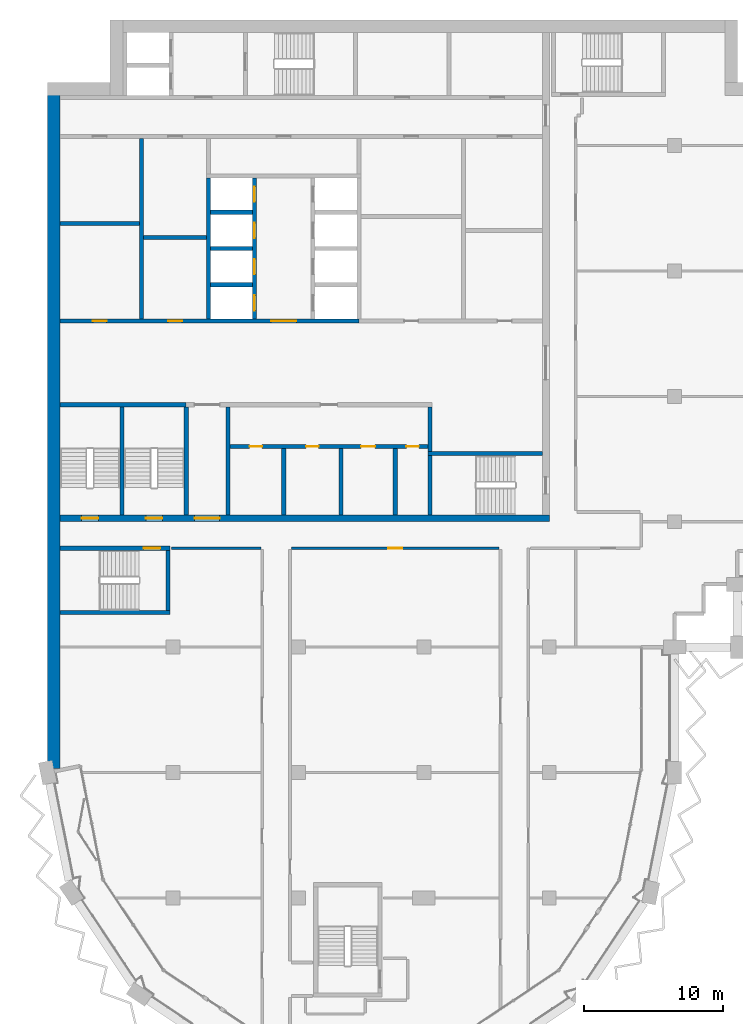
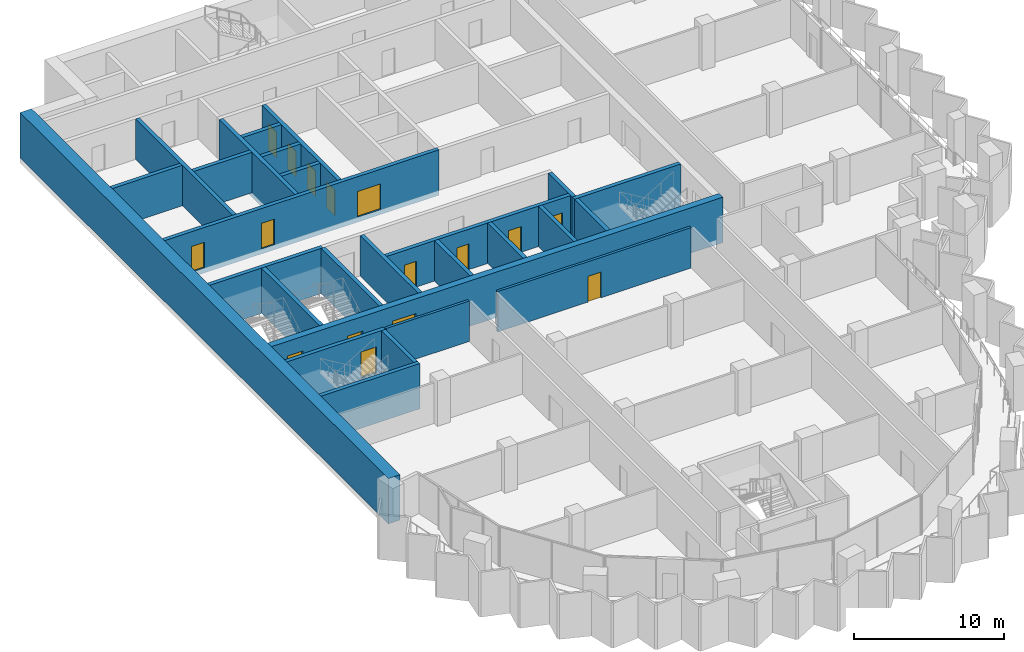
# One storey, part 9 of 17: 27 walls, 16 doors, 16 openings.
"""IFC4 building model written with IfcOpenShell, lengths in metres."""

from ifc_helpers import new_model, si_unit, direction, frame, frame_2d, origin, place, context, subcontext, project, spatial, rectangle, extrude, material, layer, layer_set, type_object, element, fill, save


model = new_model("IFC4")

# Units and contexts
model_context = context("Model", 3, precision=1e-05, world=origin(), true_north=direction((0.0, 1.0)))
body_context = subcontext(model_context, "Body", "Model", "MODEL_VIEW")
ifc_project = project(units=[si_unit("LENGTHUNIT", "METRE"), si_unit("AREAUNIT", "SQUARE_METRE"), si_unit("VOLUMEUNIT", "CUBIC_METRE"), si_unit("PLANEANGLEUNIT", "RADIAN"), si_unit("MASSUNIT", "GRAM", prefix="KILO")], contexts=[model_context])

# Site, building, storey
site_placement = place(None, origin())
site = spatial("IfcSite", under=ifc_project, at=site_placement, CompositionType="ELEMENT")
building_placement = place(site_placement, origin())
building = spatial("IfcBuilding", under=site, at=building_placement, Name="Hunhe Ridgeline Campus", CompositionType="ELEMENT")
storey_placement = place(building_placement, frame((0.0, 0.0, 265.10009765625)))
storey = spatial("IfcBuildingStorey", under=building, at=storey_placement, Name="L68", CompositionType="ELEMENT", Elevation=265.10009765625)

# Wall, openings, doors
ifc_material_1 = material(Name="Masonry concrete blockwork", Category="masonry")
ifc_layer_1 = layer(ifc_material_1, 0.300048828125)
ifc_layer_set_1 = layer_set([ifc_layer_1], Name="Core room partition 300 concrete block")
wall_type_1 = type_object("IfcWallType", Name="Core room partition 300 concrete block", PredefinedType="PARTITIONING", material=ifc_layer_set_1)
wall_1_placement = place(storey_placement, frame((13.10009765625, 68.39990234375, 0.0), z_axis=(0.0, 0.0, 1.0), x_axis=(1.0, 0.0, 0.0)))
wall_1 = element("IfcWall", 1, at=wall_1_placement, inside=storey, type_object=wall_type_1, Name="L68 core partition 7", PredefinedType="PARTITIONING", context=body_context, shape_type="SweptSolid", body=[
    extrude(rectangle(XDim=14.199951171875, YDim=0.300048828125, at=frame_2d((7.10009765625, 0.0))), origin(), (0.0, 0.0, 1.0), 3.2998046875),
])
opening_1_placement = place(wall_1_placement, frame((1.39990234375, 0.0, 0.0)))
opening_1 = element("IfcOpeningElement", 2, at=opening_1_placement, cuts=wall_1, Name="Opening CD8", PredefinedType="OPENING", context=body_context, shape_type="SweptSolid", body=[
    extrude(rectangle(XDim=0.89990234375, YDim=2.10009765625, at=frame_2d((0.449951171875, 1.050048828125))), frame((0.0, 0.14990234375, 0.0), z_axis=(0.0, -1.0, 0.0), x_axis=(1.0, 0.0, 0.0)), (0.0, 0.0, 1.0), 0.300048828125),
])
opening_2_placement = place(wall_1_placement, frame((5.449951171875, 0.0, 0.0)))
opening_2 = element("IfcOpeningElement", 3, at=opening_2_placement, cuts=wall_1, Name="Opening CD9", PredefinedType="OPENING", context=body_context, shape_type="SweptSolid", body=[
    extrude(rectangle(XDim=0.89990234375, YDim=2.10009765625, at=frame_2d((0.449951171875, 1.050048828125))), frame((0.0, 0.14990234375, 0.0), z_axis=(0.0, -1.0, 0.0), x_axis=(1.0, 0.0, 0.0)), (0.0, 0.0, 1.0), 0.300048828125),
])
opening_3_placement = place(wall_1_placement, frame((9.39990234375, 0.0, 0.0)))
opening_3 = element("IfcOpeningElement", 4, at=opening_3_placement, cuts=wall_1, Name="Opening CD10", PredefinedType="OPENING", context=body_context, shape_type="SweptSolid", body=[
    extrude(rectangle(XDim=1.0, YDim=2.10009765625, at=frame_2d((0.5, 1.050048828125))), frame((0.0, 0.14990234375, 0.0), z_axis=(0.0, -1.0, 0.0), x_axis=(1.0, 0.0, 0.0)), (0.0, 0.0, 1.0), 0.300048828125),
])
opening_4_placement = place(wall_1_placement, frame((12.64990234375, 0.0, 0.0)))
opening_4 = element("IfcOpeningElement", 5, at=opening_4_placement, cuts=wall_1, Name="Opening CD11", PredefinedType="OPENING", context=body_context, shape_type="SweptSolid", body=[
    extrude(rectangle(XDim=0.89990234375, YDim=2.10009765625, at=frame_2d((0.449951171875, 1.050048828125))), frame((0.0, 0.14990234375, 0.0), z_axis=(0.0, -1.0, 0.0), x_axis=(1.0, 0.0, 0.0)), (0.0, 0.0, 1.0), 0.300048828125),
])
ifc_material_2 = material(Name="Solid core timber door leaf", Category="wood")
door_type_1 = type_object("IfcDoorType", Name="Timber door 1000x2100", OperationType="SINGLE_SWING_LEFT", PredefinedType="DOOR", material=ifc_material_2)
door_1_placement = place(opening_3_placement, frame((1.0, 0.0, 0.0), z_axis=(0.0, 0.0, 1.0), x_axis=(-1.0, 0.0, 0.0)))
door_1 = element("IfcDoor", 6, at=door_1_placement, inside=storey, type_object=door_type_1, Name="L68 door WC3", OperationType="SINGLE_SWING_LEFT", OverallHeight=2.10009765625, OverallWidth=1.0, PredefinedType="DOOR", context=body_context, shape_type="SweptSolid", body=[
    extrude(rectangle(XDim=1.0, YDim=2.10009765625, at=frame_2d((0.5, 1.050048828125))), frame((0.0, 0.02490234375, 0.0), z_axis=(0.0, -1.0, 0.0), x_axis=(1.0, 0.0, 0.0)), (0.0, 0.0, 1.0), 0.050048828125),
])
fill(opening_3, door_1)
door_type_2 = type_object("IfcDoorType", Name="Timber door 900x2100", OperationType="SINGLE_SWING_LEFT", PredefinedType="DOOR", material=ifc_material_2)
door_2_placement = place(opening_1_placement, frame((0.89990234375, 0.0, 0.0), z_axis=(0.0, 0.0, 1.0), x_axis=(-1.0, 0.0, 0.0)))
door_2 = element("IfcDoor", 7, at=door_2_placement, inside=storey, type_object=door_type_2, Name="L68 door WC1", OperationType="SINGLE_SWING_LEFT", OverallHeight=2.10009765625, OverallWidth=0.89990234375, PredefinedType="DOOR", context=body_context, shape_type="SweptSolid", body=[
    extrude(rectangle(XDim=0.89990234375, YDim=2.10009765625, at=frame_2d((0.449951171875, 1.050048828125))), frame((0.0, 0.02490234375, 0.0), z_axis=(0.0, -1.0, 0.0), x_axis=(1.0, 0.0, 0.0)), (0.0, 0.0, 1.0), 0.050048828125),
])
fill(opening_1, door_2)
door_3_placement = place(opening_2_placement, frame((0.89990234375, 0.0, 0.0), z_axis=(0.0, 0.0, 1.0), x_axis=(-1.0, 0.0, 0.0)))
door_3 = element("IfcDoor", 8, at=door_3_placement, inside=storey, type_object=door_type_2, Name="L68 door WC2", OperationType="SINGLE_SWING_RIGHT", OverallHeight=2.10009765625, OverallWidth=0.89990234375, PredefinedType="DOOR", context=body_context, shape_type="SweptSolid", body=[
    extrude(rectangle(XDim=0.89990234375, YDim=2.10009765625, at=frame_2d((0.449951171875, 1.050048828125))), frame((0.0, 0.02490234375, 0.0), z_axis=(0.0, -1.0, 0.0), x_axis=(1.0, 0.0, 0.0)), (0.0, 0.0, 1.0), 0.050048828125),
])
fill(opening_2, door_3)
door_4_placement = place(opening_4_placement, frame((0.89990234375, 0.0, 0.0), z_axis=(0.0, 0.0, 1.0), x_axis=(-1.0, 0.0, 0.0)))
door_4 = element("IfcDoor", 9, at=door_4_placement, inside=storey, type_object=door_type_2, Name="L68 door WC4", OperationType="SINGLE_SWING_RIGHT", OverallHeight=2.10009765625, OverallWidth=0.89990234375, PredefinedType="DOOR", context=body_context, shape_type="SweptSolid", body=[
    extrude(rectangle(XDim=0.89990234375, YDim=2.10009765625, at=frame_2d((0.449951171875, 1.050048828125))), frame((0.0, 0.02490234375, 0.0), z_axis=(0.0, -1.0, 0.0), x_axis=(1.0, 0.0, 0.0)), (0.0, 0.0, 1.0), 0.050048828125),
])
fill(opening_4, door_4)

# Walls
wall_2_placement = place(storey_placement, frame((6.89990234375, 83.39990234375, 0.0), z_axis=(0.0, 0.0, 1.0), x_axis=(1.0, 0.0, 0.0)))
element("IfcWall", 10, at=wall_2_placement, inside=storey, type_object=wall_type_1, Name="L68 core partition 16", PredefinedType="PARTITIONING", context=body_context, shape_type="SweptSolid", body=[
    extrude(rectangle(XDim=4.5, YDim=0.300048828125, at=frame_2d((2.25, 0.0))), origin(), (0.0, 0.0, 1.0), 3.2998046875),
])
wall_3_placement = place(storey_placement, frame((0.89990234375, 84.39990234375, 0.0), z_axis=(0.0, 0.0, 1.0), x_axis=(1.0, 0.0, 0.0)))
element("IfcWall", 11, at=wall_3_placement, inside=storey, type_object=wall_type_1, Name="L68 core partition 18", PredefinedType="PARTITIONING", context=body_context, shape_type="SweptSolid", body=[
    extrude(rectangle(XDim=5.7001953125, YDim=0.300048828125, at=frame_2d((2.85009765625, 0.0))), origin(), (0.0, 0.0, 1.0), 3.2998046875),
])
wall_4_placement = place(storey_placement, frame((6.75, 77.550048828125, 0.0), z_axis=(0.0, 0.0, 1.0), x_axis=(0.0, 1.0, 0.0)))
element("IfcWall", 12, at=wall_4_placement, inside=storey, type_object=wall_type_1, Name="L68 core partition 29", PredefinedType="PARTITIONING", context=body_context, shape_type="SweptSolid", body=[
    extrude(rectangle(XDim=12.949951171875, YDim=0.300048828125, at=frame_2d((6.47509765625, 0.0))), origin(), (0.0, 0.0, 1.0), 3.2998046875),
])
wall_5_placement = place(storey_placement, frame((12.949951171875, 63.5, 0.0), z_axis=(0.0, 0.0, 1.0), x_axis=(0.0, 1.0, 0.0)))
element("IfcWall", 13, at=wall_5_placement, inside=storey, type_object=wall_type_1, Name="L68 core partition 35", PredefinedType="PARTITIONING", context=body_context, shape_type="SweptSolid", body=[
    extrude(rectangle(XDim=7.75, YDim=0.300048828125, at=frame_2d((3.875, 0.0))), origin(), (0.0, 0.0, 1.0), 3.2998046875),
])
for number, where, z_axis, x_axis, name in (
    (14, (16.949951171875, 63.5, 0.0), (0.0, 0.0, 1.0), (0.0, 1.0, 0.0), "L68 core partition 38"),
    (15, (21.050048828125, 63.5, 0.0), (0.0, 0.0, 1.0), (0.0, 1.0, 0.0), "L68 core partition 41"),
    (16, (24.949951171875, 63.5, 0.0), (0.0, 0.0, 1.0), (0.0, 1.0, 0.0), "L68 core partition 46"),
):
    element("IfcWall", number, at=place(storey_placement, frame(where, z_axis=z_axis, x_axis=x_axis)), inside=storey, type_object=wall_type_1, Name=name, PredefinedType="PARTITIONING", context=body_context, shape_type="SweptSolid", body=[
        extrude(rectangle(XDim=4.75, YDim=0.300048828125, at=frame_2d((2.375, 0.0))), origin(), (0.0, 0.0, 1.0), 3.2998046875),
    ])
wall_6_placement = place(storey_placement, frame((27.449951171875, 68.050048828125, 0.0), z_axis=(0.0, 0.0, 1.0), x_axis=(0.0, 1.0, 0.0)))
element("IfcWall", 17, at=wall_6_placement, inside=storey, type_object=wall_type_1, Name="L68 core partition 48", PredefinedType="PARTITIONING", context=body_context, shape_type="SweptSolid", body=[
    extrude(rectangle(XDim=3.199951171875, YDim=0.300048828125, at=frame_2d((1.60009765625, 0.0))), origin(), (0.0, 0.0, 1.0), 3.2998046875),
])

# Wall, openings, doors
ifc_material_3 = material(Name="Concrete C50", Category="concrete")
ifc_layer_2 = layer(ifc_material_3, 0.5)
ifc_layer_set_2 = layer_set([ifc_layer_2], Name="Core wall 500 reinforced concrete C50")
wall_type_2 = type_object("IfcWallType", Name="Core wall 500 reinforced concrete C50", PredefinedType="SOLIDWALL", material=ifc_layer_set_2)
wall_7_placement = place(storey_placement, frame((0.89990234375, 63.25, -0.400146484375), z_axis=(0.0, 0.0, 1.0), x_axis=(1.0, 0.0, 0.0)))
wall_7 = element("IfcWall", 18, at=wall_7_placement, inside=storey, type_object=wall_type_2, Name="L68 core wall 5", PredefinedType="SOLIDWALL", context=body_context, shape_type="SweptSolid", body=[
    extrude(rectangle(XDim=35.10009765625, YDim=0.5, at=frame_2d((17.550048828125, 0.0))), origin(), (0.0, 0.0, 1.0), 3.699951171875),
])
opening_5_placement = place(wall_7_placement, frame((9.64990234375, 0.0, 0.39990234375)))
opening_5 = element("IfcOpeningElement", 19, at=opening_5_placement, cuts=wall_7, Name="Opening CD6", PredefinedType="OPENING", context=body_context, shape_type="SweptSolid", body=[
    extrude(rectangle(XDim=1.800048828125, YDim=2.10009765625, at=frame_2d((0.89990234375, 1.050048828125))), frame((0.0, 0.25, 0.0), z_axis=(0.0, -1.0, 0.0), x_axis=(1.0, 0.0, 0.0)), (0.0, 0.0, 1.0), 0.5),
])
opening_6_placement = place(wall_7_placement, frame((1.550048828125, 0.0, 0.39990234375)))
opening_6 = element("IfcOpeningElement", 20, at=opening_6_placement, cuts=wall_7, Name="Opening CD13", PredefinedType="OPENING", context=body_context, shape_type="SweptSolid", body=[
    extrude(rectangle(XDim=1.199951171875, YDim=2.10009765625, at=frame_2d((0.60009765625, 1.050048828125))), frame((0.0, 0.25, 0.0), z_axis=(0.0, -1.0, 0.0), x_axis=(1.0, 0.0, 0.0)), (0.0, 0.0, 1.0), 0.5),
])
opening_7_placement = place(wall_7_placement, frame((6.14990234375, 0.0, 0.39990234375)))
opening_7 = element("IfcOpeningElement", 21, at=opening_7_placement, cuts=wall_7, Name="Opening CD14", PredefinedType="OPENING", context=body_context, shape_type="SweptSolid", body=[
    extrude(rectangle(XDim=1.199951171875, YDim=2.10009765625, at=frame_2d((0.60009765625, 1.050048828125))), frame((0.0, 0.25, 0.0), z_axis=(0.0, -1.0, 0.0), x_axis=(1.0, 0.0, 0.0)), (0.0, 0.0, 1.0), 0.5),
])
ifc_material_4 = material(Name="Anodised aluminium and glass", Category="aluminium")
door_type_3 = type_object("IfcDoorType", Name="Glazed double door 1800x2100", OperationType="DOUBLE_DOOR_SINGLE_SWING", PredefinedType="DOOR", material=ifc_material_4)
door_5_placement = place(opening_5_placement, frame((1.800048828125, 0.0, 0.0), z_axis=(0.0, 0.0, 1.0), x_axis=(-1.0, 0.0, 0.0)))
door_5 = element("IfcDoor", 22, at=door_5_placement, inside=storey, type_object=door_type_3, Name="L68 door VEST-FLOOR", OperationType="DOUBLE_DOOR_SINGLE_SWING", OverallHeight=2.10009765625, OverallWidth=1.800048828125, PredefinedType="DOOR", context=body_context, shape_type="SweptSolid", body=[
    extrude(rectangle(XDim=1.800048828125, YDim=2.10009765625, at=frame_2d((0.89990234375, 1.050048828125))), frame((0.0, 0.02490234375, 0.0), z_axis=(0.0, -1.0, 0.0), x_axis=(1.0, 0.0, 0.0)), (0.0, 0.0, 1.0), 0.050048828125),
])
fill(opening_5, door_5)
ifc_material_5 = material(Name="Hollow metal fire door leaf")
door_type_4 = type_object("IfcDoorType", Name="Stair door 1200x2100 FD60", OperationType="SINGLE_SWING_LEFT", PredefinedType="DOOR", material=ifc_material_5)
door_6_placement = place(opening_6_placement, frame((1.199951171875, 0.0, 0.0), z_axis=(0.0, 0.0, 1.0), x_axis=(-1.0, 0.0, 0.0)))
door_6 = element("IfcDoor", 23, at=door_6_placement, inside=storey, type_object=door_type_4, Name="L68 door S3", OperationType="SINGLE_SWING_LEFT", OverallHeight=2.10009765625, OverallWidth=1.199951171875, PredefinedType="DOOR", context=body_context, shape_type="SweptSolid", body=[
    extrude(rectangle(XDim=1.199951171875, YDim=2.10009765625, at=frame_2d((0.60009765625, 1.050048828125))), frame((0.0, 0.02490234375, 0.0), z_axis=(0.0, -1.0, 0.0), x_axis=(1.0, 0.0, 0.0)), (0.0, 0.0, 1.0), 0.050048828125),
])
fill(opening_6, door_6)
door_7_placement = place(opening_7_placement, frame((1.199951171875, 0.0, 0.0), z_axis=(0.0, 0.0, 1.0), x_axis=(-1.0, 0.0, 0.0)))
door_7 = element("IfcDoor", 24, at=door_7_placement, inside=storey, type_object=door_type_4, Name="L68 door S4", OperationType="SINGLE_SWING_RIGHT", OverallHeight=2.10009765625, OverallWidth=1.199951171875, PredefinedType="DOOR", context=body_context, shape_type="SweptSolid", body=[
    extrude(rectangle(XDim=1.199951171875, YDim=2.10009765625, at=frame_2d((0.60009765625, 1.050048828125))), frame((0.0, 0.02490234375, 0.0), z_axis=(0.0, -1.0, 0.0), x_axis=(1.0, 0.0, 0.0)), (0.0, 0.0, 1.0), 0.050048828125),
])
fill(opening_7, door_7)

# Wall
ifc_material_6 = material(Name="Gypsum board partition")
ifc_layer_3 = layer(ifc_material_6, 0.199951171875)
ifc_layer_set_3 = layer_set([ifc_layer_3], Name="Corridor partition 200 gypsum board on steel studs")
wall_type_3 = type_object("IfcWallType", Name="Corridor partition 200 gypsum board on steel studs", PredefinedType="PARTITIONING", material=ifc_layer_set_3)
wall_8_placement = place(storey_placement, frame((15.300048828125, 61.10009765625, 0.0), z_axis=(0.0, 0.0, 1.0), x_axis=(-1.0, 0.0, 0.0)))
element("IfcWall", 25, at=wall_8_placement, inside=storey, type_object=wall_type_3, Name="F-L68-wall-024", PredefinedType="PARTITIONING", context=body_context, shape_type="SweptSolid", body=[
    extrude(rectangle(XDim=6.39599609375, YDim=0.199951171875, at=frame_2d((3.197998046875, 0.0))), origin(), (0.0, 0.0, 1.0), 3.2998046875),
])

# Wall, opening, door
wall_9_placement = place(storey_placement, frame((32.39990234375, 61.10009765625, 0.0), z_axis=(0.0, 0.0, 1.0), x_axis=(-1.0, 0.0, 0.0)))
wall_9 = element("IfcWall", 26, at=wall_9_placement, inside=storey, type_object=wall_type_3, Name="F-L68-wall-025", PredefinedType="PARTITIONING", context=body_context, shape_type="SweptSolid", body=[
    extrude(rectangle(XDim=14.89990234375, YDim=0.199951171875, at=frame_2d((7.449951171875, 0.0))), origin(), (0.0, 0.0, 1.0), 3.2998046875),
])
opening_8_placement = place(wall_9_placement, frame((6.949951171875, 0.0, 0.0)))
opening_8 = element("IfcOpeningElement", 27, at=opening_8_placement, cuts=wall_9, Name="Opening RD1-012", PredefinedType="OPENING", context=body_context, shape_type="SweptSolid", body=[
    extrude(rectangle(XDim=1.0, YDim=2.10009765625, at=frame_2d((0.5, 1.050048828125))), frame((0.0, 0.10009765625, 0.0), z_axis=(0.0, -1.0, 0.0), x_axis=(1.0, 0.0, 0.0)), (0.0, 0.0, 1.0), 0.199951171875),
])
ifc_material_7 = material(Name="Timber door leaf", Category="wood")
door_type_5 = type_object("IfcDoorType", Name="Single fire door 1000x2100 timber FD60", OperationType="NOTDEFINED", PredefinedType="DOOR", material=ifc_material_7)
door_8_placement = place(opening_8_placement, origin())
door_8 = element("IfcDoor", 28, at=door_8_placement, inside=storey, type_object=door_type_5, Name="F-L68-door-012", OperationType="SINGLE_SWING_RIGHT", OverallHeight=2.10009765625, OverallWidth=1.0, PredefinedType="DOOR", context=body_context, shape_type="SweptSolid", body=[
    extrude(rectangle(XDim=1.0, YDim=2.10009765625, at=frame_2d((0.5, 1.050048828125))), frame((0.0, 0.02490234375, 0.0), z_axis=(0.0, -1.0, 0.0), x_axis=(1.0, 0.0, 0.0)), (0.0, 0.0, 1.0), 0.050048828125),
])
fill(opening_8, door_8)

# Wall, openings, doors
ifc_layer_4 = layer(ifc_material_3, 0.300048828125)
ifc_layer_set_4 = layer_set([ifc_layer_4], Name="Shaft wall 300 reinforced concrete C50")
wall_type_4 = type_object("IfcWallType", Name="Shaft wall 300 reinforced concrete C50", PredefinedType="SOLIDWALL", material=ifc_layer_set_4)
wall_10_placement = place(storey_placement, frame((0.89990234375, 77.39990234375, -0.400146484375), z_axis=(0.0, 0.0, 1.0), x_axis=(1.0, 0.0, 0.0)))
wall_10 = element("IfcWall", 29, at=wall_10_placement, inside=storey, type_object=wall_type_4, Name="L68 core wall 10", PredefinedType="SOLIDWALL", context=body_context, shape_type="SweptSolid", body=[
    extrude(rectangle(XDim=21.4501953125, YDim=0.300048828125, at=frame_2d((10.72509765625, 0.0))), origin(), (0.0, 0.0, 1.0), 3.699951171875),
])
opening_9_placement = place(wall_10_placement, frame((15.14990234375, 0.0, 0.39990234375)))
opening_9 = element("IfcOpeningElement", 30, at=opening_9_placement, cuts=wall_10, Name="Opening CD38", PredefinedType="OPENING", context=body_context, shape_type="SweptSolid", body=[
    extrude(rectangle(XDim=1.800048828125, YDim=2.10009765625, at=frame_2d((0.89990234375, 1.050048828125))), frame((0.0, 0.14990234375, 0.0), z_axis=(0.0, -1.0, 0.0), x_axis=(1.0, 0.0, 0.0)), (0.0, 0.0, 1.0), 0.300048828125),
])
opening_10_placement = place(wall_10_placement, frame((2.35009765625, 0.0, 0.39990234375)))
opening_10 = element("IfcOpeningElement", 31, at=opening_10_placement, cuts=wall_10, Name="Opening CD39", PredefinedType="OPENING", context=body_context, shape_type="SweptSolid", body=[
    extrude(rectangle(XDim=1.0, YDim=2.10009765625, at=frame_2d((0.5, 1.050048828125))), frame((0.0, 0.14990234375, 0.0), z_axis=(0.0, -1.0, 0.0), x_axis=(1.0, 0.0, 0.0)), (0.0, 0.0, 1.0), 0.300048828125),
])
opening_11_placement = place(wall_10_placement, frame((7.75, 0.0, 0.39990234375)))
opening_11 = element("IfcOpeningElement", 32, at=opening_11_placement, cuts=wall_10, Name="Opening CD41", PredefinedType="OPENING", context=body_context, shape_type="SweptSolid", body=[
    extrude(rectangle(XDim=1.0, YDim=2.10009765625, at=frame_2d((0.5, 1.050048828125))), frame((0.0, 0.14990234375, 0.0), z_axis=(0.0, -1.0, 0.0), x_axis=(1.0, 0.0, 0.0)), (0.0, 0.0, 1.0), 0.300048828125),
])
door_type_6 = type_object("IfcDoorType", Name="Lobby door 1800x2100 FD60", OperationType="SINGLE_SWING_LEFT", PredefinedType="DOOR", material=ifc_material_5)
door_9_placement = place(opening_9_placement, frame((1.800048828125, 0.0, 0.0), z_axis=(0.0, 0.0, 1.0), x_axis=(-1.0, 0.0, 0.0)))
door_9 = element("IfcDoor", 33, at=door_9_placement, inside=storey, type_object=door_type_6, Name="L68 door LOB-HR", OperationType="SINGLE_SWING_RIGHT", OverallHeight=2.10009765625, OverallWidth=1.800048828125, PredefinedType="DOOR", context=body_context, shape_type="SweptSolid", body=[
    extrude(rectangle(XDim=1.800048828125, YDim=2.10009765625, at=frame_2d((0.89990234375, 1.050048828125))), frame((0.0, 0.02490234375, 0.0), z_axis=(0.0, -1.0, 0.0), x_axis=(1.0, 0.0, 0.0)), (0.0, 0.0, 1.0), 0.050048828125),
])
fill(opening_9, door_9)
door_10_placement = place(opening_10_placement, origin())
door_10 = element("IfcDoor", 34, at=door_10_placement, inside=storey, type_object=door_type_1, Name="L68 door VD-LR0", OperationType="SINGLE_SWING_RIGHT", OverallHeight=2.10009765625, OverallWidth=1.0, PredefinedType="DOOR", context=body_context, shape_type="SweptSolid", body=[
    extrude(rectangle(XDim=1.0, YDim=2.10009765625, at=frame_2d((0.5, 1.050048828125))), frame((0.0, 0.02490234375, 0.0), z_axis=(0.0, -1.0, 0.0), x_axis=(1.0, 0.0, 0.0)), (0.0, 0.0, 1.0), 0.050048828125),
])
fill(opening_10, door_10)
door_11_placement = place(opening_11_placement, origin())
door_11 = element("IfcDoor", 35, at=door_11_placement, inside=storey, type_object=door_type_1, Name="L68 door VD-LR2", OperationType="SINGLE_SWING_RIGHT", OverallHeight=2.10009765625, OverallWidth=1.0, PredefinedType="DOOR", context=body_context, shape_type="SweptSolid", body=[
    extrude(rectangle(XDim=1.0, YDim=2.10009765625, at=frame_2d((0.5, 1.050048828125))), frame((0.0, 0.02490234375, 0.0), z_axis=(0.0, -1.0, 0.0), x_axis=(1.0, 0.0, 0.0)), (0.0, 0.0, 1.0), 0.050048828125),
])
fill(opening_11, door_11)

# Walls
for number, where, z_axis, x_axis, name in (
    (36, (11.699951171875, 80.0, -0.400146484375), (0.0, 0.0, 1.0), (1.0, 0.0, 0.0), "L68 core wall 12"),
    (37, (11.699951171875, 82.60009765625, -0.400146484375), (0.0, 0.0, 1.0), (1.0, 0.0, 0.0), "L68 core wall 14"),
    (38, (11.699951171875, 85.199951171875, -0.400146484375), (0.0, 0.0, 1.0), (1.0, 0.0, 0.0), "L68 core wall 20"),
):
    element("IfcWall", number, at=place(storey_placement, frame(where, z_axis=z_axis, x_axis=x_axis)), inside=storey, type_object=wall_type_4, Name=name, PredefinedType="SOLIDWALL", context=body_context, shape_type="SweptSolid", body=[
        extrude(rectangle(XDim=3.0, YDim=0.300048828125, at=frame_2d((1.5, 0.0))), origin(), (0.0, 0.0, 1.0), 3.699951171875),
    ])
wall_11_placement = place(storey_placement, frame((11.550048828125, 77.550048828125, -0.400146484375), z_axis=(0.0, 0.0, 1.0), x_axis=(0.0, 1.0, 0.0)))
element("IfcWall", 39, at=wall_11_placement, inside=storey, type_object=wall_type_4, Name="L68 core wall 33", PredefinedType="SOLIDWALL", context=body_context, shape_type="SweptSolid", body=[
    extrude(rectangle(XDim=10.099853515625, YDim=0.300048828125, at=frame_2d((5.0498046875, 0.0))), origin(), (0.0, 0.0, 1.0), 3.699951171875),
])

# Wall, openings, doors
wall_12_placement = place(storey_placement, frame((14.85009765625, 77.550048828125, -0.400146484375), z_axis=(0.0, 0.0, 1.0), x_axis=(0.0, 1.0, 0.0)))
wall_12 = element("IfcWall", 40, at=wall_12_placement, inside=storey, type_object=wall_type_4, Name="L68 core wall 37", PredefinedType="SOLIDWALL", context=body_context, shape_type="SweptSolid", body=[
    extrude(rectangle(XDim=10.099853515625, YDim=0.300048828125, at=frame_2d((5.0498046875, 0.0))), origin(), (0.0, 0.0, 1.0), 3.699951171875),
])
opening_12_placement = place(wall_12_placement, frame((0.60009765625, 0.0, 0.39990234375)))
opening_12 = element("IfcOpeningElement", 41, at=opening_12_placement, cuts=wall_12, Name="Opening LD-HR1", PredefinedType="OPENING", context=body_context, shape_type="SweptSolid", body=[
    extrude(rectangle(XDim=1.10009765625, YDim=2.10009765625, at=frame_2d((0.550048828125, 1.050048828125))), frame((0.0, 0.14990234375, 0.0), z_axis=(0.0, -1.0, 0.0), x_axis=(1.0, 0.0, 0.0)), (0.0, 0.0, 1.0), 0.300048828125),
])
opening_13_placement = place(wall_12_placement, frame((3.199951171875, 0.0, 0.39990234375)))
opening_13 = element("IfcOpeningElement", 42, at=opening_13_placement, cuts=wall_12, Name="Opening LD-HR2", PredefinedType="OPENING", context=body_context, shape_type="SweptSolid", body=[
    extrude(rectangle(XDim=1.10009765625, YDim=2.10009765625, at=frame_2d((0.550048828125, 1.050048828125))), frame((0.0, 0.14990234375, 0.0), z_axis=(0.0, -1.0, 0.0), x_axis=(1.0, 0.0, 0.0)), (0.0, 0.0, 1.0), 0.300048828125),
])
opening_14_placement = place(wall_12_placement, frame((5.800048828125, 0.0, 0.39990234375)))
opening_14 = element("IfcOpeningElement", 43, at=opening_14_placement, cuts=wall_12, Name="Opening LD-HR3", PredefinedType="OPENING", context=body_context, shape_type="SweptSolid", body=[
    extrude(rectangle(XDim=1.10009765625, YDim=2.10009765625, at=frame_2d((0.550048828125, 1.050048828125))), frame((0.0, 0.14990234375, 0.0), z_axis=(0.0, -1.0, 0.0), x_axis=(1.0, 0.0, 0.0)), (0.0, 0.0, 1.0), 0.300048828125),
])
opening_15_placement = place(wall_12_placement, frame((8.39990234375, 0.0, 0.39990234375)))
opening_15 = element("IfcOpeningElement", 44, at=opening_15_placement, cuts=wall_12, Name="Opening LD-HR4", PredefinedType="OPENING", context=body_context, shape_type="SweptSolid", body=[
    extrude(rectangle(XDim=1.10009765625, YDim=2.10009765625, at=frame_2d((0.550048828125, 1.050048828125))), frame((0.0, 0.14990234375, 0.0), z_axis=(0.0, -1.0, 0.0), x_axis=(1.0, 0.0, 0.0)), (0.0, 0.0, 1.0), 0.300048828125),
])
ifc_material_8 = material(Name="Stainless steel sliding leaves", Category="steel")
door_type_7 = type_object("IfcDoorType", Name="Landing door 1100x2100 FD120", OperationType="SLIDING_TO_LEFT", PredefinedType="DOOR", material=ifc_material_8)
door_12_placement = place(opening_12_placement, origin())
door_12 = element("IfcDoor", 45, at=door_12_placement, inside=storey, type_object=door_type_7, Name="L68 landing door HR1", OperationType="SLIDING_TO_RIGHT", OverallHeight=2.10009765625, OverallWidth=1.10009765625, PredefinedType="DOOR", context=body_context, shape_type="SweptSolid", body=[
    extrude(rectangle(XDim=1.10009765625, YDim=2.10009765625, at=frame_2d((0.550048828125, 1.050048828125))), frame((0.0, 0.02490234375, 0.0), z_axis=(0.0, -1.0, 0.0), x_axis=(1.0, 0.0, 0.0)), (0.0, 0.0, 1.0), 0.050048828125),
])
fill(opening_12, door_12)
door_13_placement = place(opening_13_placement, origin())
door_13 = element("IfcDoor", 46, at=door_13_placement, inside=storey, type_object=door_type_7, Name="L68 landing door HR2", OperationType="SLIDING_TO_LEFT", OverallHeight=2.10009765625, OverallWidth=1.10009765625, PredefinedType="DOOR", context=body_context, shape_type="SweptSolid", body=[
    extrude(rectangle(XDim=1.10009765625, YDim=2.10009765625, at=frame_2d((0.550048828125, 1.050048828125))), frame((0.0, 0.02490234375, 0.0), z_axis=(0.0, -1.0, 0.0), x_axis=(1.0, 0.0, 0.0)), (0.0, 0.0, 1.0), 0.050048828125),
])
fill(opening_13, door_13)
door_14_placement = place(opening_14_placement, origin())
door_14 = element("IfcDoor", 47, at=door_14_placement, inside=storey, type_object=door_type_7, Name="L68 landing door HR3", OperationType="SLIDING_TO_RIGHT", OverallHeight=2.10009765625, OverallWidth=1.10009765625, PredefinedType="DOOR", context=body_context, shape_type="SweptSolid", body=[
    extrude(rectangle(XDim=1.10009765625, YDim=2.10009765625, at=frame_2d((0.550048828125, 1.050048828125))), frame((0.0, 0.02490234375, 0.0), z_axis=(0.0, -1.0, 0.0), x_axis=(1.0, 0.0, 0.0)), (0.0, 0.0, 1.0), 0.050048828125),
])
fill(opening_14, door_14)
door_15_placement = place(opening_15_placement, origin())
door_15 = element("IfcDoor", 48, at=door_15_placement, inside=storey, type_object=door_type_7, Name="L68 landing door HR4", OperationType="SLIDING_TO_LEFT", OverallHeight=2.10009765625, OverallWidth=1.10009765625, PredefinedType="DOOR", context=body_context, shape_type="SweptSolid", body=[
    extrude(rectangle(XDim=1.10009765625, YDim=2.10009765625, at=frame_2d((0.550048828125, 1.050048828125))), frame((0.0, 0.02490234375, 0.0), z_axis=(0.0, -1.0, 0.0), x_axis=(1.0, 0.0, 0.0)), (0.0, 0.0, 1.0), 0.050048828125),
])
fill(opening_15, door_15)

# Walls
ifc_material_9 = material(Name="Concrete C60", Category="concrete")
ifc_layer_5 = layer(ifc_material_9, 0.89990234375)
ifc_layer_set_5 = layer_set([ifc_layer_5], Name="Spine wall 900 Concrete C60")
wall_type_5 = type_object("IfcWallType", Name="Spine wall 900 Concrete C60", PredefinedType="SHEAR", material=ifc_layer_set_5)
wall_13_placement = place(storey_placement, frame((0.449951171875, 94.5, 0.0), z_axis=(0.0, 0.0, 1.0), x_axis=(0.0, -1.0, 0.0)))
element("IfcWall", 49, at=wall_13_placement, inside=storey, type_object=wall_type_5, Name="Spine wall SW3-1 L68", PredefinedType="SHEAR", context=body_context, shape_type="SweptSolid", body=[
    extrude(rectangle(XDim=49.199462890625, YDim=0.89990234375, at=frame_2d((24.599609375, 0.0))), origin(), (0.0, 0.0, 1.0), 3.699951171875),
])
ifc_layer_6 = layer(ifc_material_3, 0.300048828125)
ifc_layer_set_6 = layer_set([ifc_layer_6], Name="Stair wall 300 reinforced concrete C50")
wall_type_6 = type_object("IfcWallType", Name="Stair wall 300 reinforced concrete C50", PredefinedType="SOLIDWALL", material=ifc_layer_set_6)
wall_14_placement = place(storey_placement, frame((0.89990234375, 56.5, -0.400146484375), z_axis=(0.0, 0.0, 1.0), x_axis=(1.0, 0.0, 0.0)))
element("IfcWall", 50, at=wall_14_placement, inside=storey, type_object=wall_type_6, Name="L68 core wall 3", PredefinedType="SOLIDWALL", context=body_context, shape_type="SweptSolid", body=[
    extrude(rectangle(XDim=7.900146484375, YDim=0.300048828125, at=frame_2d((3.9501953125, 0.0))), origin(), (0.0, 0.0, 1.0), 3.699951171875),
])

# Wall, opening, door
wall_15_placement = place(storey_placement, frame((0.89990234375, 61.10009765625, -0.400146484375), z_axis=(0.0, 0.0, 1.0), x_axis=(1.0, 0.0, 0.0)))
wall_15 = element("IfcWall", 51, at=wall_15_placement, inside=storey, type_object=wall_type_6, Name="L68 core wall 4", PredefinedType="SOLIDWALL", context=body_context, shape_type="SweptSolid", body=[
    extrude(rectangle(XDim=7.900146484375, YDim=0.300048828125, at=frame_2d((3.9501953125, 0.0))), origin(), (0.0, 0.0, 1.0), 3.699951171875),
])
opening_16_placement = place(wall_15_placement, frame((6.0, 0.0, 0.39990234375)))
opening_16 = element("IfcOpeningElement", 52, at=opening_16_placement, cuts=wall_15, Name="Opening CD22", PredefinedType="OPENING", context=body_context, shape_type="SweptSolid", body=[
    extrude(rectangle(XDim=1.199951171875, YDim=2.10009765625, at=frame_2d((0.60009765625, 1.050048828125))), frame((0.0, 0.14990234375, 0.0), z_axis=(0.0, -1.0, 0.0), x_axis=(1.0, 0.0, 0.0)), (0.0, 0.0, 1.0), 0.300048828125),
])
door_16_placement = place(opening_16_placement, origin())
door_16 = element("IfcDoor", 53, at=door_16_placement, inside=storey, type_object=door_type_4, Name="L68 door W2", OperationType="SINGLE_SWING_LEFT", OverallHeight=2.10009765625, OverallWidth=1.199951171875, PredefinedType="DOOR", context=body_context, shape_type="SweptSolid", body=[
    extrude(rectangle(XDim=1.199951171875, YDim=2.10009765625, at=frame_2d((0.60009765625, 1.050048828125))), frame((0.0, 0.02490234375, 0.0), z_axis=(0.0, -1.0, 0.0), x_axis=(1.0, 0.0, 0.0)), (0.0, 0.0, 1.0), 0.050048828125),
])
fill(opening_16, door_16)

# Walls
wall_16_placement = place(storey_placement, frame((27.300048828125, 67.89990234375, -0.400146484375), z_axis=(0.0, 0.0, 1.0), x_axis=(1.0, 0.0, 0.0)))
element("IfcWall", 54, at=wall_16_placement, inside=storey, type_object=wall_type_6, Name="L68 core wall 6", PredefinedType="SOLIDWALL", context=body_context, shape_type="SweptSolid", body=[
    extrude(rectangle(XDim=8.199951171875, YDim=0.300048828125, at=frame_2d((4.10009765625, 0.0))), origin(), (0.0, 0.0, 1.0), 3.699951171875),
])
wall_17_placement = place(storey_placement, frame((0.89990234375, 71.39990234375, -0.400146484375), z_axis=(0.0, 0.0, 1.0), x_axis=(1.0, 0.0, 0.0)))
element("IfcWall", 55, at=wall_17_placement, inside=storey, type_object=wall_type_6, Name="L68 core wall 8", PredefinedType="SOLIDWALL", context=body_context, shape_type="SweptSolid", body=[
    extrude(rectangle(XDim=9.050048828125, YDim=0.300048828125, at=frame_2d((4.52490234375, 0.0))), origin(), (0.0, 0.0, 1.0), 3.699951171875),
])
wall_18_placement = place(storey_placement, frame((5.35009765625, 63.5, -0.400146484375), z_axis=(0.0, 0.0, 1.0), x_axis=(0.0, 1.0, 0.0)))
element("IfcWall", 56, at=wall_18_placement, inside=storey, type_object=wall_type_6, Name="L68 core wall 27", PredefinedType="SOLIDWALL", context=body_context, shape_type="SweptSolid", body=[
    extrude(rectangle(XDim=7.75, YDim=0.300048828125, at=frame_2d((3.875, 0.0))), origin(), (0.0, 0.0, 1.0), 3.699951171875),
])
wall_19_placement = place(storey_placement, frame((8.64990234375, 56.64990234375, -0.400146484375), z_axis=(0.0, 0.0, 1.0), x_axis=(0.0, 1.0, 0.0)))
element("IfcWall", 57, at=wall_19_placement, inside=storey, type_object=wall_type_6, Name="L68 core wall 30", PredefinedType="SOLIDWALL", context=body_context, shape_type="SweptSolid", body=[
    extrude(rectangle(XDim=4.300048828125, YDim=0.300048828125, at=frame_2d((2.14990234375, 0.0))), origin(), (0.0, 0.0, 1.0), 3.699951171875),
])
wall_20_placement = place(storey_placement, frame((9.949951171875, 63.5, -0.400146484375), z_axis=(0.0, 0.0, 1.0), x_axis=(0.0, 1.0, 0.0)))
element("IfcWall", 58, at=wall_20_placement, inside=storey, type_object=wall_type_6, Name="L68 core wall 32", PredefinedType="SOLIDWALL", context=body_context, shape_type="SweptSolid", body=[
    extrude(rectangle(XDim=7.75, YDim=0.300048828125, at=frame_2d((3.875, 0.0))), origin(), (0.0, 0.0, 1.0), 3.699951171875),
])
wall_21_placement = place(storey_placement, frame((27.449951171875, 63.5, -0.400146484375), z_axis=(0.0, 0.0, 1.0), x_axis=(0.0, 1.0, 0.0)))
element("IfcWall", 59, at=wall_21_placement, inside=storey, type_object=wall_type_6, Name="L68 core wall 47", PredefinedType="SOLIDWALL", context=body_context, shape_type="SweptSolid", body=[
    extrude(rectangle(XDim=4.25, YDim=0.300048828125, at=frame_2d((2.125, 0.0))), origin(), (0.0, 0.0, 1.0), 3.699951171875),
])

save(model, "model.ifc")
